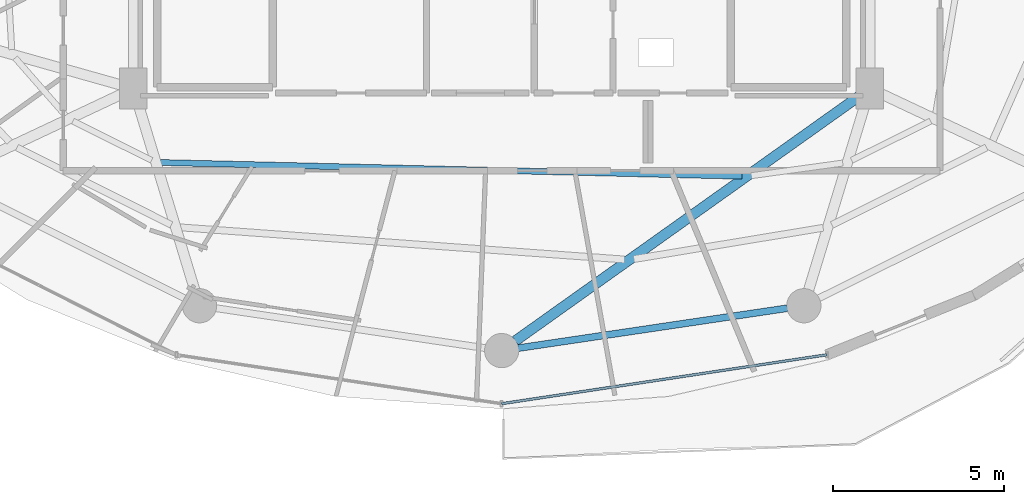
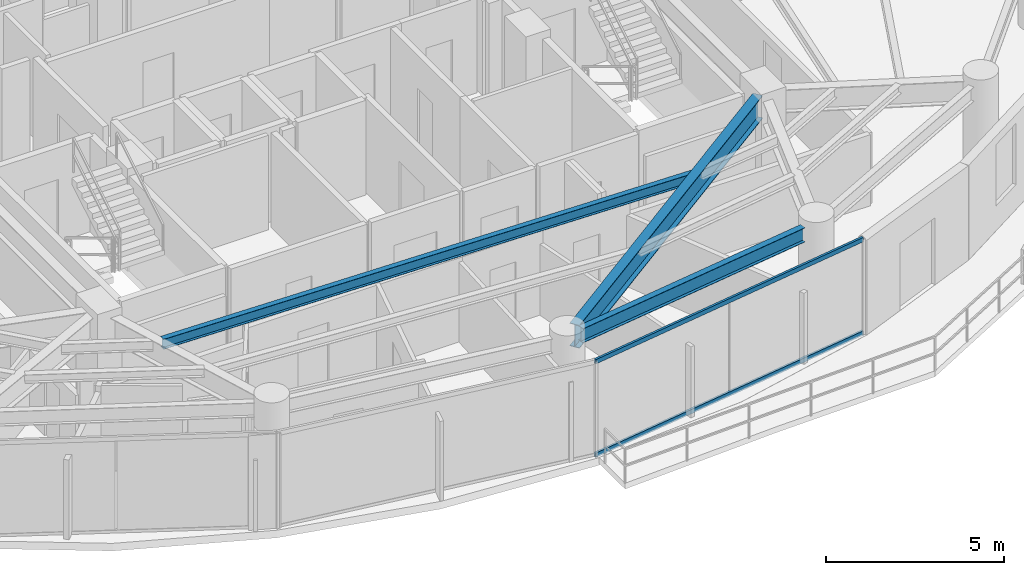
# One storey, part 7 of 29: 3 beams, 2 members, 1 element without a shape of its own.
"""IFC4 building model written with IfcOpenShell, lengths in metres."""

from ifc_helpers import new_model, si_unit, direction, frame, origin, origin_2d, place, context, subcontext, project, spatial, hollow_rectangle, i_section, extrude, material, material_profile, profile_set, type_object, element, aggregate, save


model = new_model("IFC4")

# Units and contexts
model_context = context("Model", 3, precision=1e-05, world=origin(), true_north=direction((0.0, 1.0)))
body_context = subcontext(model_context, "Body", "Model", "MODEL_VIEW")
ifc_project = project(units=[si_unit("LENGTHUNIT", "METRE"), si_unit("AREAUNIT", "SQUARE_METRE"), si_unit("VOLUMEUNIT", "CUBIC_METRE"), si_unit("PLANEANGLEUNIT", "RADIAN"), si_unit("MASSUNIT", "GRAM", prefix="KILO")], contexts=[model_context])

# Site, building, storey
site_placement = place(None, origin())
site = spatial("IfcSite", under=ifc_project, at=site_placement, CompositionType="ELEMENT")
building_placement = place(site_placement, origin())
building = spatial("IfcBuilding", under=site, at=building_placement, Name="Vorneva Point Tower", CompositionType="ELEMENT")
storey_placement = place(building_placement, frame((0.0, 0.0, 167.60009765625)))
storey = spatial("IfcBuildingStorey", under=building, at=storey_placement, Name="L45", CompositionType="ELEMENT", Elevation=167.60009765625)

# Beams
ifc_material_1 = material(Name="Steel S355", Category="steel")
ifc_material_profile_1 = material_profile(ifc_material_1, i_section(OverallWidth=0.300048828125, OverallDepth=0.7880859375, WebThickness=0.014404296875, FlangeThickness=0.02197265625, at=origin_2d()), Name="80Sh1")
ifc_profile_set_1 = profile_set([ifc_material_profile_1], Name="Steel S355")
beam_type_1 = type_object("IfcBeamType", Name="BM-GRD-80Sh1", PredefinedType="USERDEFINED", material=ifc_profile_set_1)
beam_1_placement = place(storey_placement, frame((38.397705078125, 9.0830078125, 2.845947265625), z_axis=(0.814751382529, 0.579810473057, 0.0), x_axis=(-0.579810473057, 0.814751382529, 0.0)))
element("IfcBeam", 1, at=beam_1_placement, inside=storey, type_object=beam_type_1, Name="L45 Radial Primary Girder 13", ObjectType="GIRDER", PredefinedType="USERDEFINED", context=body_context, shape_type="SweptSolid", body=[
    extrude(i_section(OverallWidth=0.300048828125, OverallDepth=0.7880859375, WebThickness=0.014404296875, FlangeThickness=0.02197265625, at=origin_2d()), origin(), (0.0, 0.0, 1.0), 12.365966796875),
])
ifc_material_profile_2 = material_profile(ifc_material_1, i_section(OverallWidth=0.174072265625, OverallDepth=0.345947265625, WebThickness=0.006103515625, FlangeThickness=0.009033203125, at=origin_2d()), Name="35B1")
ifc_profile_set_2 = profile_set([ifc_material_profile_2], Name="Steel S355")
beam_type_2 = type_object("IfcBeamType", Name="BM-SEC-35B1", PredefinedType="BEAM", material=ifc_profile_set_2)
beam_2_placement = place(storey_placement, frame((28.0439453125, 14.290283203125, 3.06689453125), z_axis=(0.999721995287, -0.023578213231, 0.0), x_axis=(0.023578213231, 0.999721995287, 0.0)))
element("IfcBeam", 2, at=beam_2_placement, inside=storey, type_object=beam_type_2, Name="L45 Secondary Floor Beam 2.12", PredefinedType="BEAM", context=body_context, shape_type="SweptSolid", body=[
    extrude(i_section(OverallWidth=0.174072265625, OverallDepth=0.345947265625, WebThickness=0.006103515625, FlangeThickness=0.009033203125, at=origin_2d()), origin(), (0.0, 0.0, 1.0), 16.970947265625),
])
ifc_material_profile_3 = material_profile(ifc_material_1, i_section(OverallWidth=0.199951171875, OverallDepth=0.491943359375, WebThickness=0.0087890625, FlangeThickness=0.011962890625, at=origin_2d()), Name="50B1")
ifc_profile_set_3 = profile_set([ifc_material_profile_3], Name="Steel S355")
beam_type_3 = type_object("IfcBeamType", Name="BM-SPN-50B1", PredefinedType="SPANDREL", material=ifc_profile_set_3)
beam_3_placement = place(storey_placement, frame((38.479736328125, 8.87109375, 2.993896484375), z_axis=(0.989161199046, 0.146833655211, 0.0), x_axis=(-0.146833655211, 0.989161199046, 0.0)))
element("IfcBeam", 3, at=beam_3_placement, inside=storey, type_object=beam_type_3, Name="L45 Perimeter Spandrel Ring Beam 13", PredefinedType="SPANDREL", context=body_context, shape_type="SweptSolid", body=[
    extrude(i_section(OverallWidth=0.199951171875, OverallDepth=0.491943359375, WebThickness=0.0087890625, FlangeThickness=0.011962890625, at=origin_2d()), origin(), (0.0, 0.0, 1.0), 7.94775390625),
])

# Curtain wall, members
ifc_material_2 = material(Name="Pale anodised aluminium", Category="aluminium")
curtain_wall_type = type_object("IfcCurtainWallType", Name="CW-RES-SYS", PredefinedType="NOTDEFINED", material=ifc_material_2)
curtain_wall_placement = place(storey_placement, origin())
curtain_wall = element("IfcCurtainWall", 4, at=curtain_wall_placement, inside=storey, type_object=curtain_wall_type, Name="L45 Unitised Curtain Wall CW-L45-R04", PredefinedType="NOTDEFINED")
ifc_material_profile_4 = material_profile(ifc_material_2, hollow_rectangle(XDim=0.074951171875, YDim=0.14990234375, WallThickness=0.00390625, at=origin_2d()), Name="AL-TRN 150x75x4")
ifc_profile_set_4 = profile_set([ifc_material_profile_4], Name="Pale anodised aluminium")
member_type = type_object("IfcMemberType", Name="CW-TRN-150", PredefinedType="USERDEFINED", material=ifc_profile_set_4)
member_1_placement = place(storey_placement, frame((38.0, 7.25, 0.02001953125), z_axis=(0.988880117727, 0.148714870687, 0.0), x_axis=(-0.148714870687, 0.988880117727, 0.0)))
member_1 = element("IfcMember", 5, at=member_1_placement, type_object=member_type, Name="CW-L45-R04 Transom 03.1", ObjectType="TRANSOM", PredefinedType="USERDEFINED", context=body_context, shape_type="SweptSolid", body=[
    extrude(hollow_rectangle(XDim=0.074951171875, YDim=0.14990234375, WallThickness=0.00390625, at=origin_2d()), origin(), (0.0, 0.0, 1.0), 9.59716796875),
])
member_2_placement = place(storey_placement, frame((38.0, 7.25, 3.219970703125), z_axis=(0.988880117727, 0.148714870687, 0.0), x_axis=(-0.148714870687, 0.988880117727, 0.0)))
member_2 = element("IfcMember", 6, at=member_2_placement, type_object=member_type, Name="CW-L45-R04 Transom 03.2", ObjectType="TRANSOM", PredefinedType="USERDEFINED", context=body_context, shape_type="SweptSolid", body=[
    extrude(hollow_rectangle(XDim=0.074951171875, YDim=0.14990234375, WallThickness=0.00390625, at=origin_2d()), origin(), (0.0, 0.0, 1.0), 9.59716796875),
])
aggregate(curtain_wall, [member_1, member_2])

save(model, "model.ifc")
